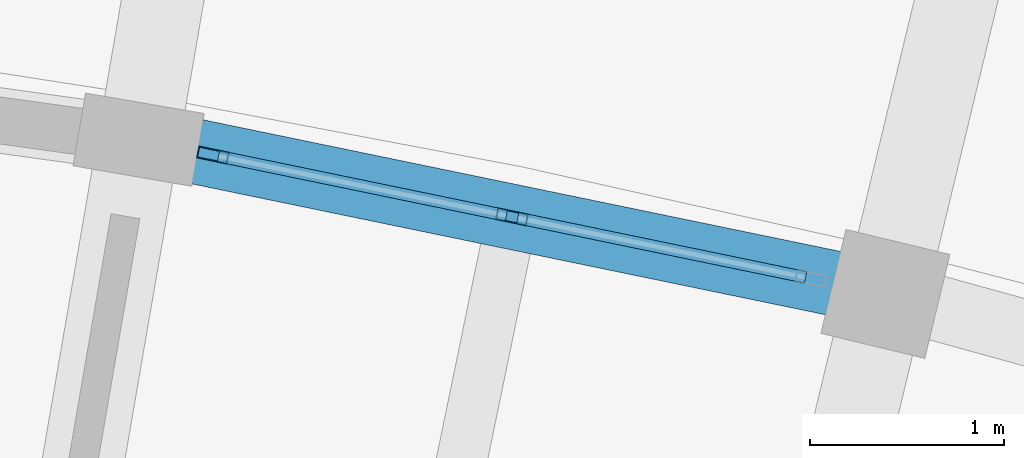
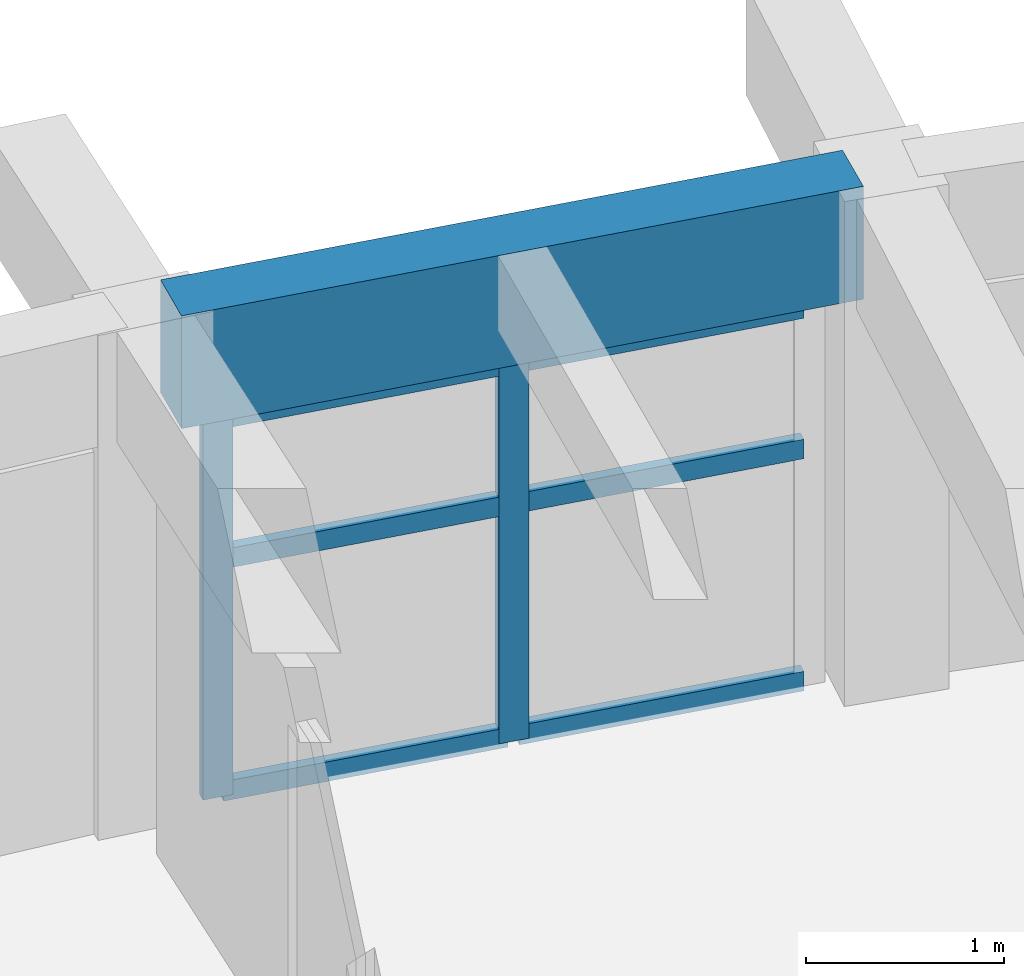
# One storey, part 17 of 81: 8 members, 1 beam, 1 element without a shape of its own.
"""IFC4 building model written with IfcOpenShell, lengths in metres."""

from ifc_helpers import new_model, si_unit, direction, frame, origin, origin_2d, place, context, subcontext, project, spatial, rectangle, hollow_rectangle, extrude, material, material_profile, profile_set, type_object, element, aggregate, save


model = new_model("IFC4")

# Units and contexts
model_context = context("Model", 3, precision=1e-05, world=origin(), true_north=direction((0.0, 1.0)))
body_context = subcontext(model_context, "Body", "Model", "MODEL_VIEW")
ifc_project = project(units=[si_unit("LENGTHUNIT", "METRE"), si_unit("AREAUNIT", "SQUARE_METRE"), si_unit("VOLUMEUNIT", "CUBIC_METRE"), si_unit("PLANEANGLEUNIT", "RADIAN"), si_unit("MASSUNIT", "GRAM", prefix="KILO")], contexts=[model_context])

# Site, building, storey
site_placement = place(None, origin())
site = spatial("IfcSite", under=ifc_project, at=site_placement, CompositionType="ELEMENT")
building_placement = place(site_placement, origin())
building = spatial("IfcBuilding", under=site, at=building_placement, Name="Tanwirah Colonnade Gardens", CompositionType="ELEMENT")
storey_placement = place(building_placement, frame((0.0, 0.0, 18.919921875)))
storey = spatial("IfcBuildingStorey", under=building, at=storey_placement, Name="L05", CompositionType="ELEMENT", Elevation=18.919921875)

# Curtain wall, members
ifc_material_1 = material(Name="Bronze-anodised aluminium and solar-control low-E glass", Category="aluminium")
curtain_wall_type = type_object("IfcCurtainWallType", Name="CW-LOB", PredefinedType="NOTDEFINED", material=ifc_material_1)
curtain_wall_placement = place(storey_placement, origin())
curtain_wall = element("IfcCurtainWall", 1, at=curtain_wall_placement, inside=storey, type_object=curtain_wall_type, Name="Curtain Wall CW-B-L05-OUT-16", PredefinedType="NOTDEFINED")
ifc_material_2 = material(Name="Bronze-anodised aluminium", Category="aluminium")
ifc_material_profile_1 = material_profile(ifc_material_2, hollow_rectangle(XDim=0.06005859375, YDim=0.159912109375, WallThickness=0.00390625, at=origin_2d()), Name="CW-MUL 60x160x4")
ifc_profile_set_1 = profile_set([ifc_material_profile_1], Name="Bronze-anodised aluminium")
member_type_1 = type_object("IfcMemberType", Name="CWM-60x160", PredefinedType="MULLION", material=ifc_profile_set_1)
member_1_placement = place(storey_placement, frame((133.035400390625, 118.488037109375, 0.0), z_axis=(0.0, 0.0, 1.0), x_axis=(-0.202218047772, -0.979340523595, 0.0)))
member_1 = element("IfcMember", 2, at=member_1_placement, type_object=member_type_1, Name="CW-LOB mullion 2", PredefinedType="MULLION", context=body_context, shape_type="SweptSolid", body=[
    extrude(hollow_rectangle(XDim=0.06005859375, YDim=0.159912109375, WallThickness=0.00390625, at=origin_2d()), origin(), (0.0, 0.0, 1.0), 2.35498046875),
])
member_2_placement = place(storey_placement, frame((131.4951171875, 118.80615234375, 0.0), z_axis=(0.0, 0.0, 1.0), x_axis=(-0.202218047772, -0.979340523595, 0.0)))
member_2 = element("IfcMember", 3, at=member_2_placement, type_object=member_type_1, Name="CW-LOB mullion 3", PredefinedType="MULLION", context=body_context, shape_type="SweptSolid", body=[
    extrude(hollow_rectangle(XDim=0.06005859375, YDim=0.159912109375, WallThickness=0.00390625, at=origin_2d()), origin(), (0.0, 0.0, 1.0), 2.35498046875),
])
ifc_material_profile_2 = material_profile(ifc_material_2, hollow_rectangle(XDim=0.06005859375, YDim=0.1201171875, WallThickness=0.00390625, at=origin_2d()), Name="CW-TRN 60x120x4")
ifc_profile_set_2 = profile_set([ifc_material_profile_2], Name="Bronze-anodised aluminium")
member_type_2 = type_object("IfcMemberType", Name="CWT-60x120", PredefinedType="USERDEFINED", material=ifc_profile_set_2)
member_3_placement = place(storey_placement, frame((134.54638671875, 118.176025390625, 0.030029296875), z_axis=(-0.979338742823, 0.202226671845, 0.0), x_axis=(-0.202226671845, -0.979338742823, 0.0)))
member_3 = element("IfcMember", 4, at=member_3_placement, type_object=member_type_2, Name="CW-LOB transom 1.1", ObjectType="TRANSOM", PredefinedType="USERDEFINED", context=body_context, shape_type="SweptSolid", body=[
    extrude(hollow_rectangle(XDim=0.06005859375, YDim=0.1201171875, WallThickness=0.00390625, at=origin_2d()), origin(), (0.0, 0.0, 1.0), 1.5126953125),
])
member_4_placement = place(storey_placement, frame((134.54638671875, 118.176025390625, 1.460205078125), z_axis=(-0.979338742823, 0.202226671845, 0.0), x_axis=(-0.202226671845, -0.979338742823, 0.0)))
member_4 = element("IfcMember", 5, at=member_4_placement, type_object=member_type_2, Name="CW-LOB transom 1.2", ObjectType="TRANSOM", PredefinedType="USERDEFINED", context=body_context, shape_type="SweptSolid", body=[
    extrude(hollow_rectangle(XDim=0.06005859375, YDim=0.1201171875, WallThickness=0.00390625, at=origin_2d()), origin(), (0.0, 0.0, 1.0), 1.5126953125),
])
member_5_placement = place(storey_placement, frame((134.54638671875, 118.176025390625, 2.3251953125), z_axis=(-0.979338742823, 0.202226671845, 0.0), x_axis=(-0.202226671845, -0.979338742823, 0.0)))
member_5 = element("IfcMember", 6, at=member_5_placement, type_object=member_type_2, Name="CW-LOB transom 1.3", ObjectType="TRANSOM", PredefinedType="USERDEFINED", context=body_context, shape_type="SweptSolid", body=[
    extrude(hollow_rectangle(XDim=0.06005859375, YDim=0.1201171875, WallThickness=0.00390625, at=origin_2d()), origin(), (0.0, 0.0, 1.0), 1.5126953125),
])
member_6_placement = place(storey_placement, frame((133.006103515625, 118.494140625, 0.030029296875), z_axis=(-0.979345341567, 0.202194712965, 0.0), x_axis=(-0.202194712965, -0.979345341567, 0.0)))
member_6 = element("IfcMember", 7, at=member_6_placement, type_object=member_type_2, Name="CW-LOB transom 2.1", ObjectType="TRANSOM", PredefinedType="USERDEFINED", context=body_context, shape_type="SweptSolid", body=[
    extrude(hollow_rectangle(XDim=0.06005859375, YDim=0.1201171875, WallThickness=0.00390625, at=origin_2d()), origin(), (0.0, 0.0, 1.0), 1.512939453125),
])
member_7_placement = place(storey_placement, frame((133.006103515625, 118.494140625, 1.460205078125), z_axis=(-0.979345341567, 0.202194712965, 0.0), x_axis=(-0.202194712965, -0.979345341567, 0.0)))
member_7 = element("IfcMember", 8, at=member_7_placement, type_object=member_type_2, Name="CW-LOB transom 2.2", ObjectType="TRANSOM", PredefinedType="USERDEFINED", context=body_context, shape_type="SweptSolid", body=[
    extrude(hollow_rectangle(XDim=0.06005859375, YDim=0.1201171875, WallThickness=0.00390625, at=origin_2d()), origin(), (0.0, 0.0, 1.0), 1.512939453125),
])
member_8_placement = place(storey_placement, frame((133.006103515625, 118.494140625, 2.3251953125), z_axis=(-0.979345341567, 0.202194712965, 0.0), x_axis=(-0.202194712965, -0.979345341567, 0.0)))
member_8 = element("IfcMember", 9, at=member_8_placement, type_object=member_type_2, Name="CW-LOB transom 2.3", ObjectType="TRANSOM", PredefinedType="USERDEFINED", context=body_context, shape_type="SweptSolid", body=[
    extrude(hollow_rectangle(XDim=0.06005859375, YDim=0.1201171875, WallThickness=0.00390625, at=origin_2d()), origin(), (0.0, 0.0, 1.0), 1.512939453125),
])
aggregate(curtain_wall, [member_1, member_2, member_3, member_4, member_5, member_6, member_7, member_8])

# Beam
ifc_material_3 = material(Name="Precast concrete C40/50", Category="concrete")
ifc_material_profile_3 = material_profile(ifc_material_3, rectangle(XDim=0.3349609375, YDim=0.695068359375, at=origin_2d()), Name="PC-SP 335x695")
ifc_profile_set_3 = profile_set([ifc_material_profile_3], Name="Precast concrete C40/50")
beam_type = type_object("IfcBeamType", Name="SP-PC300", PredefinedType="SPANDREL", material=ifc_profile_set_3)
beam_placement = place(storey_placement, frame((134.810791015625, 118.121337890625, 2.7626953125), z_axis=(-0.979328544205, 0.202276055197, 0.0), x_axis=(-0.202276055197, -0.979328544205, 0.0)))
element("IfcBeam", 10, at=beam_placement, inside=storey, type_object=beam_type, Name="Block B L05 Circumferential Beam 16-R3", PredefinedType="SPANDREL", context=body_context, shape_type="SweptSolid", body=[
    extrude(rectangle(XDim=0.3349609375, YDim=0.695068359375, at=origin_2d()), origin(), (0.0, 0.0, 1.0), 3.625732421875),
])

save(model, "model.ifc")
